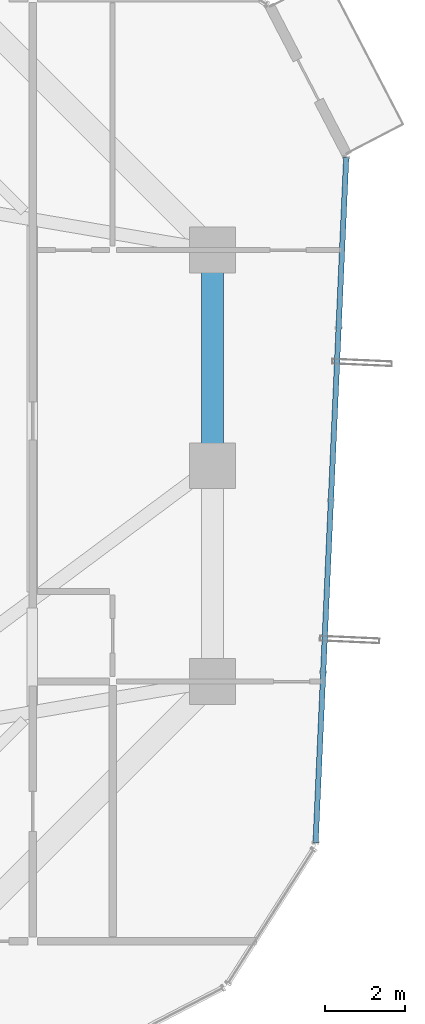
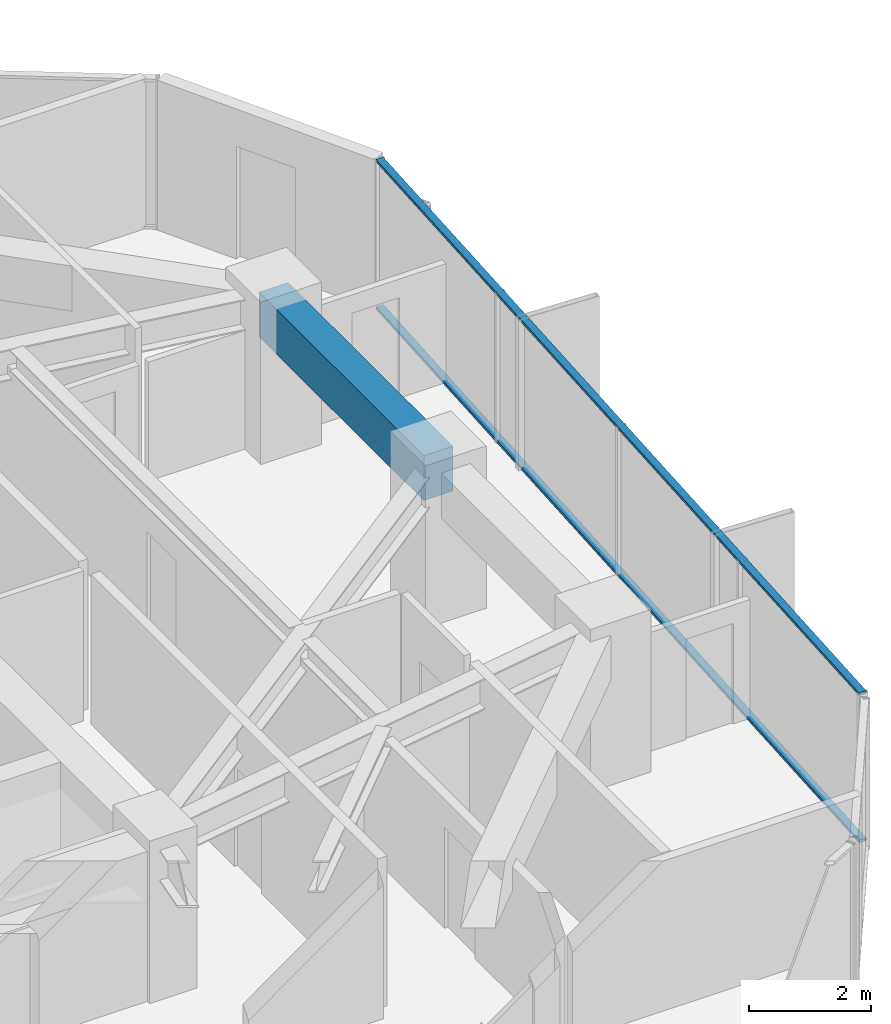
# One storey, part 14 of 30: 2 members, 1 beam, 1 element without a shape of its own.
"""IFC4 building model written with IfcOpenShell, lengths in metres."""

import ifcopenshell
import ifcopenshell.guid

model = None  # the IFC model being written
_history = None  # IfcOwnerHistory: only IFC2X3 demands one
_inside = {}  # id of a spatial element -> (the spatial element, [elements in it])
_under = {}  # id of a project, library or spatial element -> (it, [spatial elements below it])
_declared = {}  # id of a project -> (the project, [libraries it declares])
_typed = {}  # id of a type object -> (the type object, [elements of that type])
_made_of = {}  # id of a material, layer set ... -> (it, [elements and type objects made of it])


def new_model(schema):
    """Start an empty IFC model of exactly this schema.

    Asked for "IFC4X3", IfcOpenShell would pick the latest addendum, in which some entities
    have other attributes; the version numbers below select the first issue.
    IFC2X3 requires an IfcOwnerHistory on every rooted entity: one is made here for all.
    """
    global model, _history
    if schema == "IFC4X3":
        model = ifcopenshell.file(schema_version=(4, 3, 0, 0))
    else:
        model = ifcopenshell.file(schema=schema)
    _inside.clear()
    _under.clear()
    _declared.clear()
    _typed.clear()
    _made_of.clear()
    _history = None
    if model.schema == "IFC2X3":
        org = make("IfcOrganization", Name="unknown")
        user = make(
            "IfcPersonAndOrganization",
            ThePerson=make("IfcPerson", FamilyName="unknown"),
            TheOrganization=org,
        )
        app = make(
            "IfcApplication",
            ApplicationDeveloper=org,
            Version="unknown",
            ApplicationFullName="unknown",
            ApplicationIdentifier="unknown",
        )
        _history = make(
            "IfcOwnerHistory",
            OwningUser=user,
            OwningApplication=app,
            ChangeAction="ADDED",
            CreationDate=0,
        )
    return model


def make(cls, **values):
    """One entity of the class cls with the attributes given. An attribute that is None is left unset."""
    return model.create_entity(
        cls, **{name: value for name, value in values.items() if value is not None}
    )


def rooted(cls, **values):
    """An entity with a GlobalId (a new one), such as an element, a storey or a relation."""
    return make(cls, GlobalId=ifcopenshell.guid.new(), OwnerHistory=_history, **values)


def si_unit(unit_type, name, prefix=None):
    """IfcSIUnit, for example si_unit("LENGTHUNIT", "METRE", prefix="MILLI")."""
    return make("IfcSIUnit", UnitType=unit_type, Prefix=prefix, Name=name)


def assignment(units):
    """IfcUnitAssignment: the units of a project."""
    return None if units is None else make("IfcUnitAssignment", Units=units)


def point(xyz):
    """IfcCartesianPoint."""
    return None if xyz is None else make("IfcCartesianPoint", Coordinates=xyz)


def direction(xyz):
    """IfcDirection."""
    return None if xyz is None else make("IfcDirection", DirectionRatios=xyz)


def frame(location, z_axis=None, x_axis=None):
    """IfcAxis2Placement3D, a coordinate frame: its origin and axes. An axis left out is left unset."""
    return make(
        "IfcAxis2Placement3D",
        Location=point(location),
        Axis=direction(z_axis),
        RefDirection=direction(x_axis),
    )


def frame_2d(location, x_axis=None):
    """IfcAxis2Placement2D, a coordinate frame in the plane: its origin and x axis."""
    return make(
        "IfcAxis2Placement2D", Location=point(location), RefDirection=direction(x_axis)
    )


def origin():
    """The frame at (0, 0, 0) with its axes left unset."""
    return frame((0.0, 0.0, 0.0))


def origin_2d():
    """The frame at (0, 0) in the plane with its x axis left unset."""
    return frame_2d((0.0, 0.0))


def place(relative_to, where):
    """IfcLocalPlacement: puts the frame where relative to a parent placement (None: the world)."""
    return make(
        "IfcLocalPlacement", PlacementRelTo=relative_to, RelativePlacement=where
    )


def context(
    kind, dimensions, precision=None, world=None, true_north=None, identifier=None
):
    """IfcGeometricRepresentationContext, for example the 3D "Model" context."""
    return make(
        "IfcGeometricRepresentationContext",
        ContextIdentifier=identifier,
        ContextType=kind,
        CoordinateSpaceDimension=dimensions,
        Precision=precision,
        WorldCoordinateSystem=world,
        TrueNorth=true_north,
    )


def subcontext(parent, identifier, kind, view, scale=None):
    """IfcGeometricRepresentationSubContext, for example "Body" below "Model"."""
    return make(
        "IfcGeometricRepresentationSubContext",
        ContextIdentifier=identifier,
        ContextType=kind,
        ParentContext=parent,
        TargetScale=scale,
        TargetView=view,
    )


def project(units=None, contexts=None):
    """IfcProject with its units and contexts."""
    return rooted(
        "IfcProject",
        Name="project",
        RepresentationContexts=contexts,
        UnitsInContext=assignment(units),
    )


def spatial(cls, under=None, at=None, **own):
    """A site, building, storey or space (cls), placed at a placement, below another one or the project."""
    s = rooted(cls, ObjectPlacement=at, **own)
    if under is not None:
        _under.setdefault(under.id(), (under, []))[1].append(s)
    return s


def profile(cls, at=None, kind="AREA", **sizes):
    """A parametric profile (cls). Its sizes go by their IFC names, for example OverallWidth=200.0."""
    return make(cls, ProfileType=kind, Position=at, **sizes)


def rectangle(**sizes):
    """IfcRectangleProfileDef."""
    return profile("IfcRectangleProfileDef", **sizes)


def hollow_rectangle(**sizes):
    """IfcRectangleHollowProfileDef."""
    return profile("IfcRectangleHollowProfileDef", **sizes)


def extrude(swept, where, along, depth):
    """IfcExtrudedAreaSolid: the profile swept, set in the frame where, extruded along a direction by depth."""
    return make(
        "IfcExtrudedAreaSolid",
        SweptArea=swept,
        Position=where,
        ExtrudedDirection=direction(along),
        Depth=depth,
    )


def shape(context_of_items, identifier, shape_type, items):
    """IfcShapeRepresentation: the items that make up one representation, for example the "Body"."""
    return make(
        "IfcShapeRepresentation",
        ContextOfItems=context_of_items,
        RepresentationIdentifier=identifier,
        RepresentationType=shape_type,
        Items=items,
    )


def source(mapping_origin, context_of_items, identifier, shape_type, items):
    """IfcRepresentationMap: a shape defined once, which mapped items show again and again."""
    return make(
        "IfcRepresentationMap",
        MappingOrigin=mapping_origin,
        MappedRepresentation=shape(context_of_items, identifier, shape_type, items),
    )


def transform(
    local_origin,
    x_axis=None,
    y_axis=None,
    z_axis=None,
    scale=None,
    scale2=None,
    scale3=None,
    uniform=True,
):
    """IfcCartesianTransformationOperator3D, or its non-uniform kind. x_axis, y_axis, z_axis: its Axis1, 2, 3."""
    if uniform:
        return make(
            "IfcCartesianTransformationOperator3D",
            Axis1=direction(x_axis),
            Axis2=direction(y_axis),
            LocalOrigin=point(local_origin),
            Scale=scale,
            Axis3=direction(z_axis),
        )
    return make(
        "IfcCartesianTransformationOperator3DnonUniform",
        Axis1=direction(x_axis),
        Axis2=direction(y_axis),
        LocalOrigin=point(local_origin),
        Scale=scale,
        Axis3=direction(z_axis),
        Scale2=scale2,
        Scale3=scale3,
    )


def mapped(mapping_source, mapping_target):
    """IfcMappedItem: shows the shape of a source again, moved by a transform."""
    return make(
        "IfcMappedItem", MappingSource=mapping_source, MappingTarget=mapping_target
    )


def material(Name=None, Category=None):
    """IfcMaterial."""
    return make("IfcMaterial", Name=Name, Category=Category)


def layer(
    of_material, thickness, ventilated=None, Name=None, Category=None, Priority=None
):
    """IfcMaterialLayer: one layer of a wall or slab, of a material (None: an air gap)."""
    return make(
        "IfcMaterialLayer",
        Material=of_material,
        LayerThickness=thickness,
        IsVentilated=ventilated,
        Name=Name,
        Category=Category,
        Priority=Priority,
    )


def layer_set(layers, Name=None):
    """IfcMaterialLayerSet."""
    return make("IfcMaterialLayerSet", MaterialLayers=layers, LayerSetName=Name)


def material_profile(
    of_material, cross_section, Name=None, Category=None, Priority=None
):
    """IfcMaterialProfile: a cross section and its material."""
    return make(
        "IfcMaterialProfile",
        Name=Name,
        Material=of_material,
        Profile=cross_section,
        Priority=Priority,
        Category=Category,
    )


def profile_set(profiles, Name=None, composite=None):
    """IfcMaterialProfileSet."""
    return make(
        "IfcMaterialProfileSet",
        Name=Name,
        MaterialProfiles=profiles,
        CompositeProfile=composite,
    )


def made_of(thing, what):
    """Note that an element or type object is made of a material, layer set ...; save() writes the relation."""
    if what is not None:
        _made_of.setdefault(what.id(), (what, []))[1].append(thing)
    return thing


def type_object(cls, material=None, **own):
    """A type object (cls), such as IfcWallType, which elements share."""
    return made_of(rooted(cls, **own), material)


def element(
    cls,
    number,
    at=None,
    inside=None,
    cuts=None,
    type_object=None,
    material=None,
    context=None,
    identifier="Body",
    shape_type=None,
    held_by="IfcProductDefinitionShape",
    body=None,
    shapes=None,
    **own,
):
    """One element of the class cls, such as IfcWall. Its Tag is "e" and its number.

    at: its placement. inside: the storey or other place that contains it. cuts: it is an
    opening in that element (IfcRelVoidsElement). A single representation is given by context,
    identifier, shape_type and body (its items); several are given by shapes. held_by: the class
    of the entity that holds the representations. save() writes the other relations.
    """
    e = rooted(cls, Tag="e%d" % number, ObjectPlacement=at, **own)
    if body is not None:
        shapes = [shape(context, identifier, shape_type, body)]
    if shapes is not None:
        e.Representation = make(held_by, Representations=shapes)
    if inside is not None:
        _inside.setdefault(inside.id(), (inside, []))[1].append(e)
    if cuts is not None:
        rooted(
            "IfcRelVoidsElement", RelatingBuildingElement=cuts, RelatedOpeningElement=e
        )
    if type_object is not None:
        _typed.setdefault(type_object.id(), (type_object, []))[1].append(e)
    return made_of(e, material)


def aggregate(whole, parts):
    """IfcRelAggregates: a whole, such as a stair, and the parts it consists of."""
    return rooted("IfcRelAggregates", RelatingObject=whole, RelatedObjects=parts)


def save(model, path):
    """Write the relations noted so far, then the file.

    IfcRelAggregates (storeys below a building ...), IfcRelContainedInSpatialStructure (elements
    in a storey), IfcRelDefinesByType, IfcRelAssociatesMaterial and IfcRelDeclares: one each for
    every whole, place, type object, material and project.
    """
    for whole, parts in _under.values():
        aggregate(whole, parts)
    for where, things in _inside.values():
        rooted(
            "IfcRelContainedInSpatialStructure",
            RelatedElements=things,
            RelatingStructure=where,
        )
    for kind, things in _typed.values():
        rooted("IfcRelDefinesByType", RelatedObjects=things, RelatingType=kind)
    for what, things in _made_of.values():
        rooted("IfcRelAssociatesMaterial", RelatedObjects=things, RelatingMaterial=what)
    for by, libraries in _declared.values():
        rooted("IfcRelDeclares", RelatingContext=by, RelatedDefinitions=libraries)
    model.write(path)


model = new_model("IFC4")

# Units and contexts
model_context = context("Model", 3, precision=1e-05, world=origin(), true_north=direction((0.0, 1.0)))
body_context = subcontext(model_context, "Body", "Model", "MODEL_VIEW")
ifc_project = project(units=[si_unit("LENGTHUNIT", "METRE"), si_unit("AREAUNIT", "SQUARE_METRE"), si_unit("VOLUMEUNIT", "CUBIC_METRE"), si_unit("PLANEANGLEUNIT", "RADIAN"), si_unit("MASSUNIT", "GRAM", prefix="KILO")], contexts=[model_context])

# Site, building, storey
site_placement = place(None, origin())
site = spatial("IfcSite", under=ifc_project, at=site_placement, CompositionType="ELEMENT")
building_placement = place(site_placement, origin())
building = spatial("IfcBuilding", under=site, at=building_placement, Name="Veraguas Prism Commons", CompositionType="ELEMENT")
storey_placement = place(building_placement, frame((0.0, 0.0, 119.75)))
storey = spatial("IfcBuildingStorey", under=building, at=storey_placement, Name="L33", CompositionType="ELEMENT", Elevation=119.75)

# Beam
ifc_material_1 = material(Name="Concrete C50/60", Category="concrete")
ifc_material_profile_1 = material_profile(ifc_material_1, rectangle(XDim=0.550048828125, YDim=0.89990234375, at=origin_2d()), Name="RC550X900")
ifc_profile_set_1 = profile_set([ifc_material_profile_1], Name="Concrete C50/60")
beam_type = type_object("IfcBeamType", Name="Perimeter Spandrel Lower RC 550x900", PredefinedType="SPANDREL", material=ifc_profile_set_1)
beam_placement = place(storey_placement, frame((40.199951171875, 24.0, 2.550048828125), z_axis=(0.0, 1.0, 0.0), x_axis=(-1.0, 0.0, 0.0)))
element("IfcBeam", 1, at=beam_placement, inside=storey, type_object=beam_type, Name="Perimeter Spandrel Beam L33-SP02", PredefinedType="SPANDREL", context=body_context, shape_type="SweptSolid", body=[
    extrude(rectangle(XDim=0.550048828125, YDim=0.89990234375, at=origin_2d()), origin(), (0.0, 0.0, 1.0), 5.39990234375),
])

# Curtain wall, members
ifc_material_2 = material(Name="Anodised aluminium EN AW-6063 T6", Category="aluminium")
ifc_layer = layer(ifc_material_2, 0.169921875, Name="Unitised Flush Curtain Wall Zone 2", Category="aluminium")
ifc_layer_set = layer_set([ifc_layer], Name="Anodised aluminium EN AW-6063 T6")
curtain_wall_type = type_object("IfcCurtainWallType", Name="Unitised Flush Curtain Wall Zone 2", PredefinedType="NOTDEFINED", material=ifc_layer_set)
curtain_wall_placement = place(storey_placement, origin())
curtain_wall = element("IfcCurtainWall", 2, at=curtain_wall_placement, inside=storey, type_object=curtain_wall_type, Name="Tower Facade Curtain Wall L33-F6", PredefinedType="NOTDEFINED")
ifc_material_profile_2 = material_profile(ifc_material_2, hollow_rectangle(XDim=0.054931640625, YDim=0.135009765625, WallThickness=0.0029296875, at=origin_2d()), Name="AL55X135X3")
ifc_profile_set_2 = profile_set([ifc_material_profile_2], Name="Anodised aluminium EN AW-6063 T6")
member_type = type_object("IfcMemberType", Name="Curtain Wall Transom Standard AL 55x135x3", PredefinedType="USERDEFINED", material=ifc_profile_set_2)
shared_shape = source(origin(), body_context, "Body", "SweptSolid", [
    extrude(hollow_rectangle(XDim=0.054931640625, YDim=0.135009765625, WallThickness=0.0029296875, at=origin_2d()), origin(), (0.0, 0.0, 1.0), 17.174560546875),
])
member_1_placement = place(storey_placement, frame((42.77978515625, 14.564453125, 0.027587890625), z_axis=(0.044664178396, 0.99900205764, 0.0), x_axis=(0.0, 0.0, 1.0)))
member_1 = element("IfcMember", 3, at=member_1_placement, type_object=member_type, Name="CW-Z2 Transom 1", ObjectType="TRANSOM", PredefinedType="USERDEFINED", context=body_context, shape_type="MappedRepresentation", body=[
    mapped(shared_shape, transform((0.0, 0.0, 0.0), scale=1.0)),
])
member_2_placement = place(storey_placement, frame((42.77978515625, 14.564453125, 2.972412109375), z_axis=(0.044664178396, 0.99900205764, 0.0), x_axis=(0.0, 0.0, 1.0)))
member_2 = element("IfcMember", 4, at=member_2_placement, type_object=member_type, Name="CW-Z2 Transom 2", ObjectType="TRANSOM", PredefinedType="USERDEFINED", context=body_context, shape_type="MappedRepresentation", body=[
    mapped(shared_shape, transform((0.0, 0.0, 0.0), scale=1.0)),
])
aggregate(curtain_wall, [member_1, member_2])

save(model, "model.ifc")
